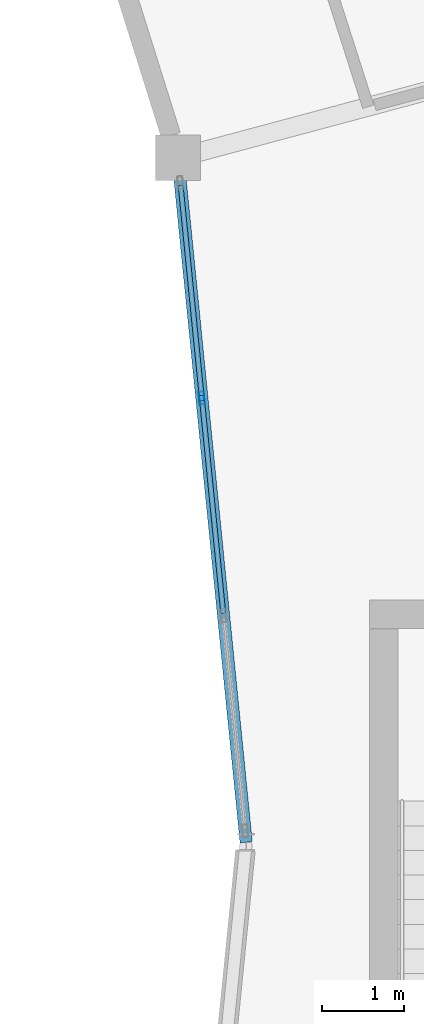
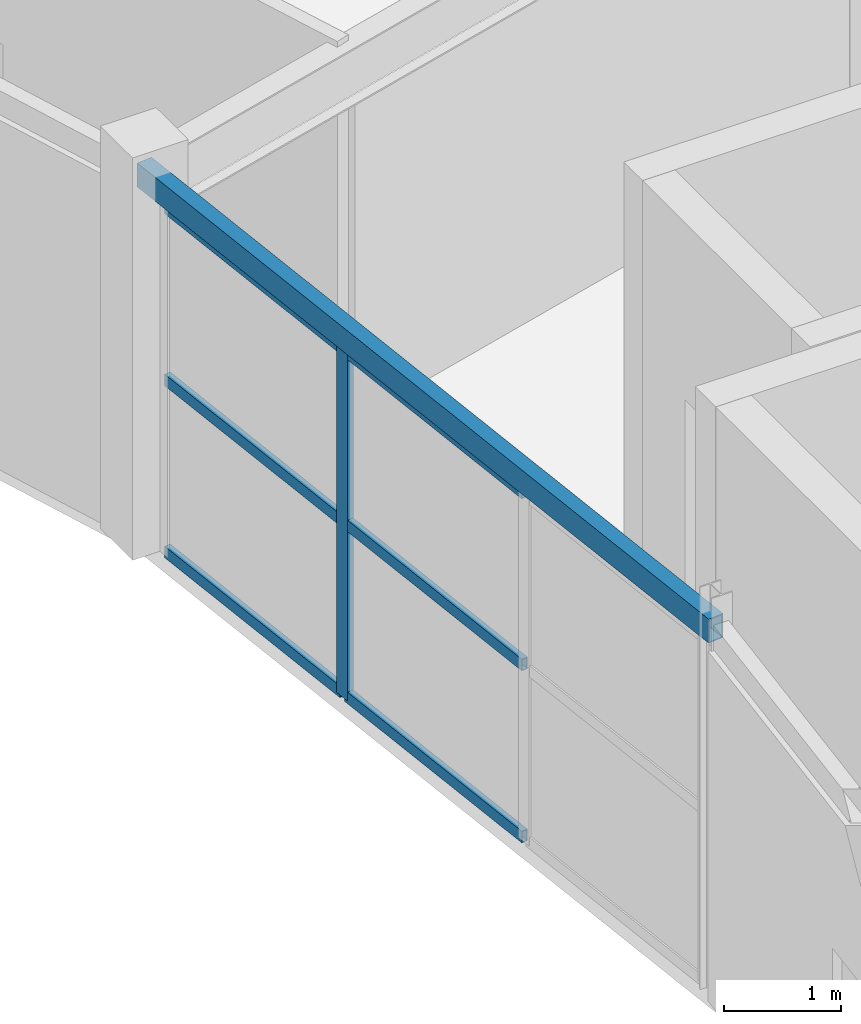
# One storey, part 58 of 130: 7 members, 1 beam, 1 element without a shape of its own.
"""IFC4 building model written with IfcOpenShell, lengths in metres."""

from ifc_helpers import new_model, si_unit, direction, frame, origin, origin_2d, place, context, subcontext, project, spatial, hollow_rectangle, extrude, material, material_profile, profile_set, type_object, element, aggregate, save


model = new_model("IFC4")

# Units and contexts
model_context = context("Model", 3, precision=1e-05, world=origin(), true_north=direction((0.0, 1.0)))
body_context = subcontext(model_context, "Body", "Model", "MODEL_VIEW")
ifc_project = project(units=[si_unit("LENGTHUNIT", "METRE"), si_unit("AREAUNIT", "SQUARE_METRE"), si_unit("VOLUMEUNIT", "CUBIC_METRE"), si_unit("PLANEANGLEUNIT", "RADIAN"), si_unit("MASSUNIT", "GRAM", prefix="KILO")], contexts=[model_context])

# Site, building, storey
site_placement = place(None, origin())
site = spatial("IfcSite", under=ifc_project, at=site_placement, CompositionType="ELEMENT")
building_placement = place(site_placement, origin())
building = spatial("IfcBuilding", under=site, at=building_placement, Name="Karori Crest Natural Sciences Institute", CompositionType="ELEMENT")
storey_placement = place(building_placement, frame((0.0, 0.0, 17.5)))
storey = spatial("IfcBuildingStorey", under=building, at=storey_placement, Name="L04", CompositionType="ELEMENT", Elevation=17.5)

# Beam
ifc_material_1 = material(Name="Hollow structural steel AS/NZS 1163 Grade C350", Category="steel")
ifc_material_profile_1 = material_profile(ifc_material_1, hollow_rectangle(XDim=0.14990234375, YDim=0.25, WallThickness=0.009033203125, at=origin_2d()), Name="RHS250x150x9")
ifc_profile_set_1 = profile_set([ifc_material_profile_1], Name="Hollow structural steel AS/NZS 1163 Grade C350")
beam_type = type_object("IfcBeamType", Name="BT-16", PredefinedType="SPANDREL", material=ifc_profile_set_1)
beam_placement = place(storey_placement, frame((90.800048828125, 49.89990234375, 3.7900390625), z_axis=(-0.099284371237, 0.99505910057, 0.0), x_axis=(-0.99505910057, -0.099284371237, 0.0)))
element("IfcBeam", 1, at=beam_placement, inside=storey, type_object=beam_type, Name="Beam B-0452", PredefinedType="SPANDREL", context=body_context, shape_type="SweptSolid", body=[
    extrude(hollow_rectangle(XDim=0.14990234375, YDim=0.25, WallThickness=0.009033203125, at=origin_2d()), origin(), (0.0, 0.0, 1.0), 8.37548828125),
])

# Curtain wall, members
ifc_material_2 = material(Name="Anodised architectural aluminium 6063-T6", Category="aluminium")
curtain_wall_type = type_object("IfcCurtainWallType", Name="CWT-11", PredefinedType="NOTDEFINED", material=ifc_material_2)
curtain_wall_placement = place(storey_placement, origin())
curtain_wall = element("IfcCurtainWall", 2, at=curtain_wall_placement, inside=storey, type_object=curtain_wall_type, Name="Curtain wall CW-0137", PredefinedType="NOTDEFINED")
ifc_material_profile_2 = material_profile(ifc_material_2, hollow_rectangle(XDim=0.06494140625, YDim=0.159912109375, WallThickness=0.00390625, at=origin_2d()), Name="CWM160x65x4")
ifc_profile_set_2 = profile_set([ifc_material_profile_2], Name="Anodised architectural aluminium 6063-T6")
member_type_1 = type_object("IfcMemberType", Name="CWM-01", PredefinedType="MULLION", material=ifc_profile_set_2)
member_1_placement = place(storey_placement, frame((90.260498046875, 55.308349609375, 0.0), z_axis=(0.0, 0.0, 1.0), x_axis=(-0.995060684604, -0.099268494275, 0.0)))
member_1 = element("IfcMember", 3, at=member_1_placement, type_object=member_type_1, Name="CW-0137 mullion 3", PredefinedType="MULLION", context=body_context, shape_type="SweptSolid", body=[
    extrude(hollow_rectangle(XDim=0.06494140625, YDim=0.159912109375, WallThickness=0.00390625, at=origin_2d()), origin(), (0.0, 0.0, 1.0), 3.64990234375),
])
ifc_material_profile_3 = material_profile(ifc_material_2, hollow_rectangle(XDim=0.06005859375, YDim=0.1201171875, WallThickness=0.00390625, at=origin_2d()), Name="CWT120x60x4")
ifc_profile_set_3 = profile_set([ifc_material_profile_3], Name="Anodised architectural aluminium 6063-T6")
member_type_2 = type_object("IfcMemberType", Name="CWT-TR1", PredefinedType="USERDEFINED", material=ifc_profile_set_3)
member_2_placement = place(storey_placement, frame((90.521728515625, 52.68798828125, 0.030029296875), z_axis=(-0.099224881273, 0.995065034526, 0.0), x_axis=(-0.995065034526, -0.099224881273, 0.0)))
member_2 = element("IfcMember", 4, at=member_2_placement, type_object=member_type_2, Name="CW-0137 transom 2.1", ObjectType="TRANSOM", PredefinedType="USERDEFINED", context=body_context, shape_type="SweptSolid", body=[
    extrude(hollow_rectangle(XDim=0.06005859375, YDim=0.1201171875, WallThickness=0.00390625, at=origin_2d()), origin(), (0.0, 0.0, 1.0), 2.600830078125),
])
member_3_placement = place(storey_placement, frame((90.521728515625, 52.68798828125, 1.824951171875), z_axis=(-0.099224881273, 0.995065034526, 0.0), x_axis=(-0.995065034526, -0.099224881273, 0.0)))
member_3 = element("IfcMember", 5, at=member_3_placement, type_object=member_type_2, Name="CW-0137 transom 2.2", ObjectType="TRANSOM", PredefinedType="USERDEFINED", context=body_context, shape_type="SweptSolid", body=[
    extrude(hollow_rectangle(XDim=0.06005859375, YDim=0.1201171875, WallThickness=0.00390625, at=origin_2d()), origin(), (0.0, 0.0, 1.0), 2.600830078125),
])
member_4_placement = place(storey_placement, frame((90.521728515625, 52.68798828125, 3.6201171875), z_axis=(-0.099224881273, 0.995065034526, 0.0), x_axis=(-0.995065034526, -0.099224881273, 0.0)))
member_4 = element("IfcMember", 6, at=member_4_placement, type_object=member_type_2, Name="CW-0137 transom 2.3", ObjectType="TRANSOM", PredefinedType="USERDEFINED", context=body_context, shape_type="SweptSolid", body=[
    extrude(hollow_rectangle(XDim=0.06005859375, YDim=0.1201171875, WallThickness=0.00390625, at=origin_2d()), origin(), (0.0, 0.0, 1.0), 2.600830078125),
])
member_5_placement = place(storey_placement, frame((90.25732421875, 55.340576171875, 0.030029296875), z_axis=(-0.0993343095, 0.995054116597, 0.0), x_axis=(-0.995054116597, -0.0993343095, 0.0)))
member_5 = element("IfcMember", 7, at=member_5_placement, type_object=member_type_2, Name="CW-0137 transom 3.1", ObjectType="TRANSOM", PredefinedType="USERDEFINED", context=body_context, shape_type="SweptSolid", body=[
    extrude(hollow_rectangle(XDim=0.06005859375, YDim=0.1201171875, WallThickness=0.00390625, at=origin_2d()), origin(), (0.0, 0.0, 1.0), 2.568359375),
])
member_6_placement = place(storey_placement, frame((90.25732421875, 55.340576171875, 1.824951171875), z_axis=(-0.0993343095, 0.995054116597, 0.0), x_axis=(-0.995054116597, -0.0993343095, 0.0)))
member_6 = element("IfcMember", 8, at=member_6_placement, type_object=member_type_2, Name="CW-0137 transom 3.2", ObjectType="TRANSOM", PredefinedType="USERDEFINED", context=body_context, shape_type="SweptSolid", body=[
    extrude(hollow_rectangle(XDim=0.06005859375, YDim=0.1201171875, WallThickness=0.00390625, at=origin_2d()), origin(), (0.0, 0.0, 1.0), 2.568359375),
])
member_7_placement = place(storey_placement, frame((90.25732421875, 55.340576171875, 3.6201171875), z_axis=(-0.0993343095, 0.995054116597, 0.0), x_axis=(-0.995054116597, -0.0993343095, 0.0)))
member_7 = element("IfcMember", 9, at=member_7_placement, type_object=member_type_2, Name="CW-0137 transom 3.3", ObjectType="TRANSOM", PredefinedType="USERDEFINED", context=body_context, shape_type="SweptSolid", body=[
    extrude(hollow_rectangle(XDim=0.06005859375, YDim=0.1201171875, WallThickness=0.00390625, at=origin_2d()), origin(), (0.0, 0.0, 1.0), 2.568359375),
])
aggregate(curtain_wall, [member_1, member_2, member_3, member_4, member_5, member_6, member_7])

save(model, "model.ifc")
